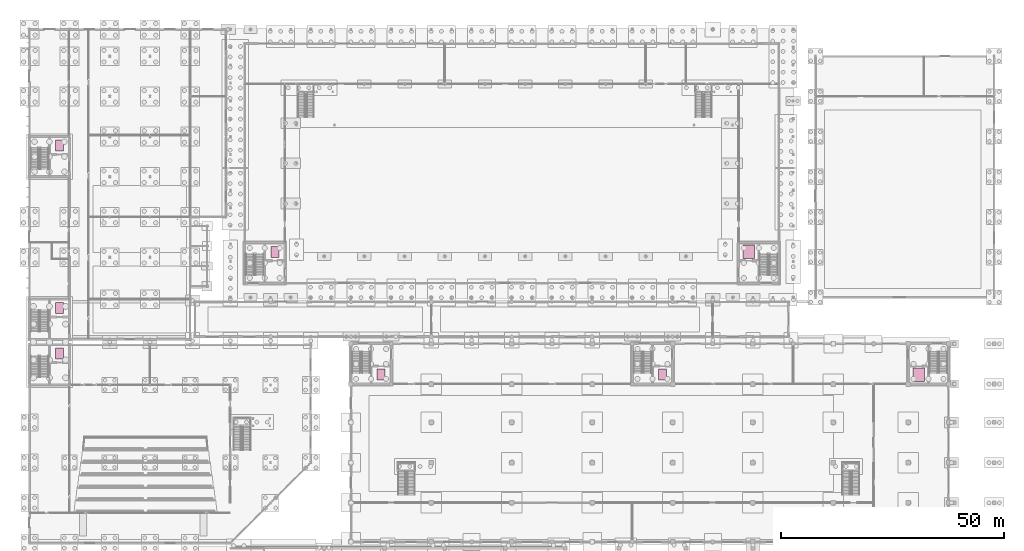
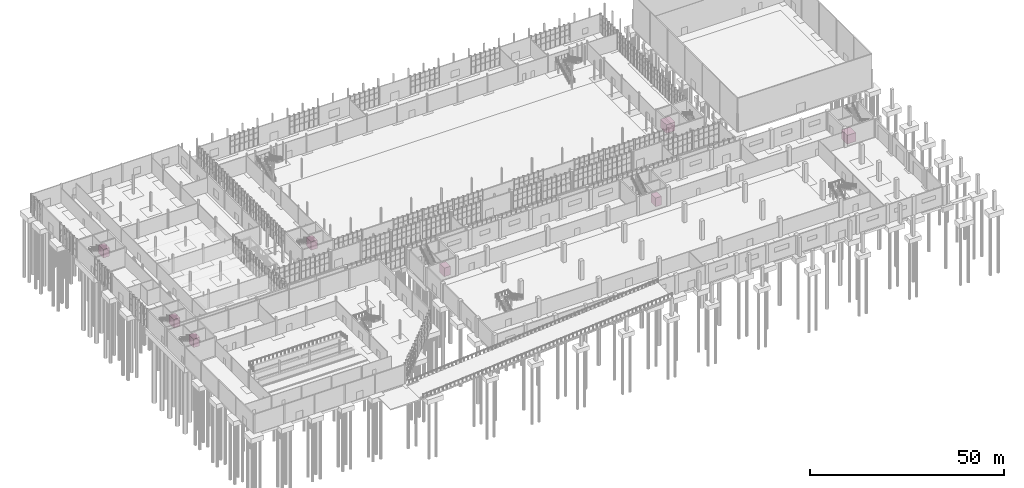
# One storey, part 131 of 131: 8 transport elements.
"""IFC4 building model written with IfcOpenShell, lengths in metres."""

from ifc_helpers import new_model, si_unit, direction, frame, origin, origin_2d, place, context, subcontext, project, spatial, rectangle, extrude, material, type_object, element, save


model = new_model("IFC4")

# Units and contexts
model_context = context("Model", 3, precision=1e-05, world=origin(), true_north=direction((0.0, 1.0)))
body_context = subcontext(model_context, "Body", "Model", "MODEL_VIEW")
ifc_project = project(units=[si_unit("LENGTHUNIT", "METRE"), si_unit("AREAUNIT", "SQUARE_METRE"), si_unit("VOLUMEUNIT", "CUBIC_METRE"), si_unit("PLANEANGLEUNIT", "RADIAN"), si_unit("MASSUNIT", "GRAM", prefix="KILO")], contexts=[model_context])

# Site, building, storey
site_placement = place(None, origin())
site = spatial("IfcSite", under=ifc_project, at=site_placement, CompositionType="ELEMENT")
building_placement = place(site_placement, origin())
building = spatial("IfcBuilding", under=site, at=building_placement, Name="Cazmaro Siding Exhibition Halls", CompositionType="ELEMENT")
storey_placement = place(building_placement, origin())
storey = spatial("IfcBuildingStorey", under=building, at=storey_placement, Name="L00", CompositionType="ELEMENT", Elevation=0.0)

# Transport elements
ifc_material_1 = material(Name="Brushed Stainless Steel Elevator Cab Assembly", Category="steel")
transport_element_type_1 = type_object("IfcTransportElementType", Name="LIFT-PASSENGER", PredefinedType="ELEVATOR", material=ifc_material_1)
for number, where, z_axis, x_axis, name in (
    (1, (54.949951171875, 74.199951171875, 0.0), (0.0, 0.0, 1.0), (1.0, 0.0, 0.0), "Passenger Elevator LP-01"),
    (2, (78.75, 46.699951171875, 0.0), (0.0, 0.0, 1.0), (1.0, 0.0, 0.0), "Passenger Elevator LP-02"),
    (3, (141.75, 46.699951171875, 0.0), (0.0, 0.0, 1.0), (1.0, 0.0, 0.0), "Passenger Elevator LP-03"),
    (4, (6.75, 51.39990234375, 0.0), (0.0, 0.0, 1.0), (1.0, 0.0, 0.0), "Passenger Elevator LP-04"),
):
    element("IfcTransportElement", number, at=place(storey_placement, frame(where, z_axis=z_axis, x_axis=x_axis)), inside=storey, type_object=transport_element_type_1, Name=name, PredefinedType="ELEVATOR", context=body_context, shape_type="SweptSolid", body=[
        extrude(rectangle(XDim=1.800048828125, YDim=2.449951171875, at=origin_2d()), origin(), (0.0, 0.0, 1.0), 2.699951171875),
    ])
ifc_material_2 = material(Name="Brushed Stainless Steel Elevator Cab Assembly", Category="steel")
transport_element_type_2 = type_object("IfcTransportElementType", Name="LIFT-GOODS", PredefinedType="ELEVATOR", material=ifc_material_2)
for number, where, z_axis, x_axis, name in (
    (5, (161.080078125, 74.199951171875, 0.0), (0.0, 0.0, 1.0), (1.0, 0.0, 0.0), "Goods Elevator FR-01"),
    (6, (199.080078125, 46.699951171875, 0.0), (0.0, 0.0, 1.0), (1.0, 0.0, 0.0), "Goods Elevator FR-02"),
):
    element("IfcTransportElement", number, at=place(storey_placement, frame(where, z_axis=z_axis, x_axis=x_axis)), inside=storey, type_object=transport_element_type_2, Name=name, PredefinedType="ELEVATOR", context=body_context, shape_type="SweptSolid", body=[
        extrude(rectangle(XDim=2.60009765625, YDim=3.0, at=origin_2d()), origin(), (0.0, 0.0, 1.0), 2.699951171875),
    ])
ifc_material_3 = material(Name="Brushed Stainless Steel Elevator Cab Assembly", Category="steel")
transport_element_type_3 = type_object("IfcTransportElementType", Name="LIFT-FIREFIGHTING", PredefinedType="ELEVATOR", material=ifc_material_3)
for number, where, z_axis, x_axis, name in (
    (7, (6.75, 61.60009765625, 0.0), (0.0, 0.0, 1.0), (1.0, 0.0, 0.0), "Firefighting Elevator LF-01"),
    (8, (6.75, 98.0, 0.0), (0.0, 0.0, 1.0), (1.0, 0.0, 0.0), "Firefighting Elevator LF-02"),
):
    element("IfcTransportElement", number, at=place(storey_placement, frame(where, z_axis=z_axis, x_axis=x_axis)), inside=storey, type_object=transport_element_type_3, Name=name, PredefinedType="ELEVATOR", context=body_context, shape_type="SweptSolid", body=[
        extrude(rectangle(XDim=1.800048828125, YDim=2.449951171875, at=origin_2d()), origin(), (0.0, 0.0, 1.0), 2.699951171875),
    ])

save(model, "model.ifc")
